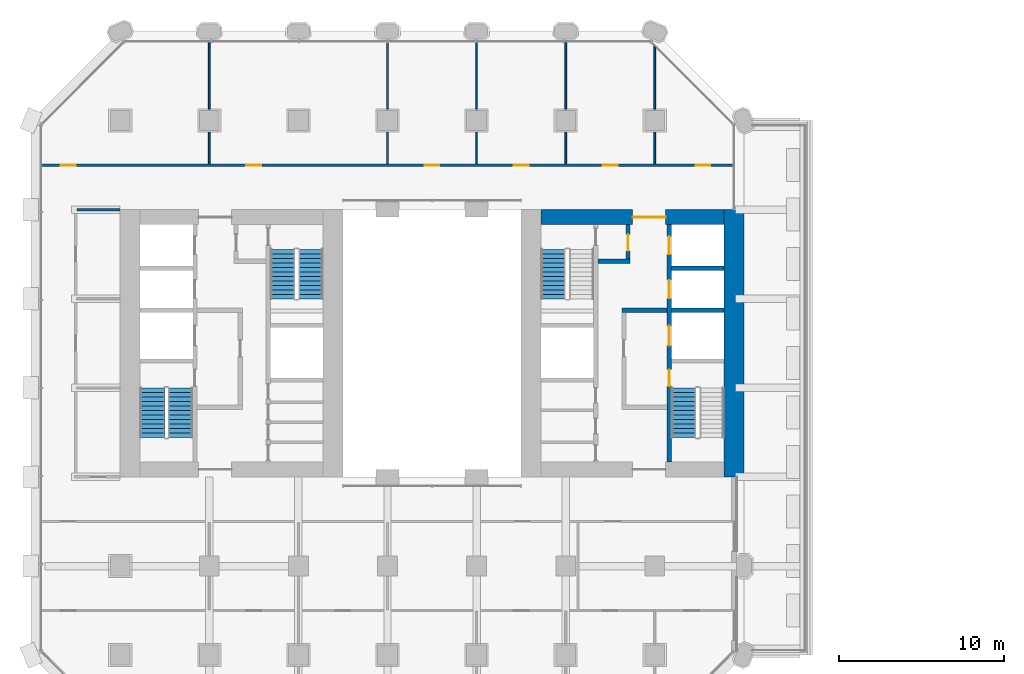
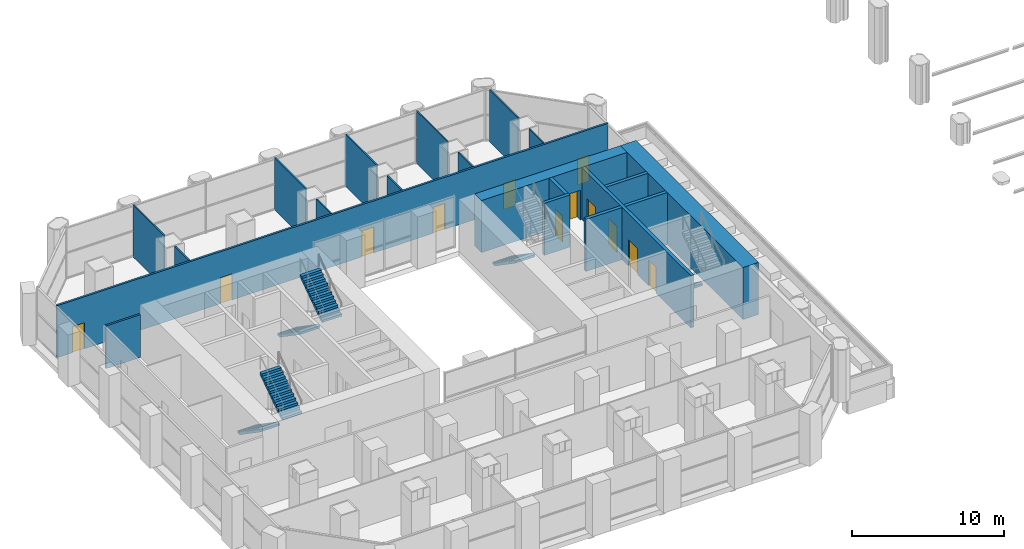
# One storey, part 14 of 23: 20 walls, 12 doors, 6 stair flights, 12 openings, 4 elements without a shape of their own.
"""IFC4 building model written with IfcOpenShell, lengths in metres."""

from ifc_helpers import new_model, si_unit, direction, frame, frame_2d, origin, place, context, subcontext, project, spatial, polyline, rectangle, outline, extrude, material, layer, layer_set, type_object, element, fill, aggregate, save


model = new_model("IFC4")

# Units and contexts
model_context = context("Model", 3, precision=1e-05, world=origin(), true_north=direction((0.0, 1.0)))
body_context = subcontext(model_context, "Body", "Model", "MODEL_VIEW")
ifc_project = project(units=[si_unit("LENGTHUNIT", "METRE"), si_unit("AREAUNIT", "SQUARE_METRE"), si_unit("VOLUMEUNIT", "CUBIC_METRE"), si_unit("PLANEANGLEUNIT", "RADIAN"), si_unit("MASSUNIT", "GRAM", prefix="KILO")], contexts=[model_context])

# Site, building, storey
site_placement = place(None, origin())
site = spatial("IfcSite", under=ifc_project, at=site_placement, CompositionType="ELEMENT")
building_placement = place(site_placement, origin())
building = spatial("IfcBuilding", under=site, at=building_placement, Name="Tabaq Tower and Sports Hall", CompositionType="ELEMENT")
storey_placement = place(building_placement, frame((0.0, 0.0, 29.10009765625)))
storey = spatial("IfcBuildingStorey", under=building, at=storey_placement, Name="L05", CompositionType="ELEMENT", Elevation=29.10009765625)

# Wall
ifc_material_1 = material(Name="Concrete C60/75", Category="concrete")
ifc_layer_1 = layer(ifc_material_1, 1.199951171875)
ifc_layer_set_1 = layer_set([ifc_layer_1], Name="Core wall 1200 Concrete C60/75")
wall_type_1 = type_object("IfcWallType", Name="Core wall 1200 Concrete C60/75", PredefinedType="SOLIDWALL", material=ifc_layer_set_1)
wall_1_placement = place(storey_placement, frame((42.60009765625, 32.39990234375, 0.0), z_axis=(0.0, 0.0, 1.0), x_axis=(0.0, -1.0, 0.0)))
element("IfcWall", 1, at=wall_1_placement, inside=storey, type_object=wall_type_1, Name="Core wall E L05", PredefinedType="SOLIDWALL", context=body_context, shape_type="SweptSolid", body=[
    extrude(rectangle(XDim=16.199951171875, YDim=1.199951171875, at=frame_2d((8.10009765625, 0.0))), origin(), (0.0, 0.0, 1.0), 4.199951171875),
])

# Wall, opening, door
ifc_material_2 = material(Name="Concrete C60/75", Category="concrete")
ifc_layer_2 = layer(ifc_material_2, 0.89990234375)
ifc_layer_set_2 = layer_set([ifc_layer_2], Name="Core wall 900 Concrete C60/75")
wall_type_2 = type_object("IfcWallType", Name="Core wall 900 Concrete C60/75", PredefinedType="SOLIDWALL", material=ifc_layer_set_2)
wall_2_placement = place(storey_placement, frame((30.89990234375, 31.949951171875, 0.0), z_axis=(0.0, 0.0, 1.0), x_axis=(1.0, 0.0, 0.0)))
wall_2 = element("IfcWall", 2, at=wall_2_placement, inside=storey, type_object=wall_type_2, Name="Core wall E L05", PredefinedType="SOLIDWALL", context=body_context, shape_type="SweptSolid", body=[
    extrude(rectangle(XDim=11.10009765625, YDim=0.89990234375, at=frame_2d((5.550048828125, 0.0))), origin(), (0.0, 0.0, 1.0), 4.199951171875),
])
opening_1_placement = place(wall_2_placement, frame((5.550048828125, 0.0, 0.0)))
opening_1 = element("IfcOpeningElement", 3, at=opening_1_placement, cuts=wall_2, Name="Opening PD-EL05-02", PredefinedType="OPENING", context=body_context, shape_type="SweptSolid", body=[
    extrude(rectangle(XDim=2.0, YDim=2.39990234375, at=frame_2d((1.0, 1.199951171875))), frame((0.0, 0.449951171875, 0.0), z_axis=(0.0, -1.0, 0.0), x_axis=(1.0, 0.0, 0.0)), (0.0, 0.0, 1.0), 0.89990234375),
])
ifc_material_3 = material(Name="Steel fire door", Category="steel")
door_type_1 = type_object("IfcDoorType", Name="Core entrance door 2000", OperationType="DOUBLE_DOOR_SINGLE_SWING", PredefinedType="DOOR", material=ifc_material_3)
door_1_placement = place(opening_1_placement, origin())
door_1 = element("IfcDoor", 4, at=door_1_placement, inside=storey, type_object=door_type_1, Name="Core entrance north E L05", OperationType="DOUBLE_DOOR_SINGLE_SWING", OverallHeight=2.39990234375, OverallWidth=2.0, PredefinedType="DOOR", context=body_context, shape_type="SweptSolid", body=[
    extrude(rectangle(XDim=2.0, YDim=2.39990234375, at=frame_2d((1.0, 1.199951171875))), frame((0.0, 0.02490234375, 0.0), z_axis=(0.0, -1.0, 0.0), x_axis=(1.0, 0.0, 0.0)), (0.0, 0.0, 1.0), 0.050048828125),
])
fill(opening_1, door_1)

# Walls
ifc_material_4 = material(Name="Gypsum board on steel studs", Category="steel")
ifc_layer_3 = layer(ifc_material_4, 0.10009765625)
ifc_layer_set_3 = layer_set([ifc_layer_3], Name="Partition 100 Gypsum board")
wall_type_3 = type_object("IfcWallType", Name="Partition 100 Gypsum board", PredefinedType="PARTITIONING", material=ifc_layer_set_3)
wall_3_placement = place(storey_placement, frame((10.800048828125, 35.175048828125, 0.0), z_axis=(0.0, 0.0, 1.0), x_axis=(0.0, 1.0, 0.0)))
element("IfcWall", 5, at=wall_3_placement, inside=storey, type_object=wall_type_3, Name="Partition wall L05", PredefinedType="PARTITIONING", context=body_context, shape_type="SweptSolid", body=[
    extrude(rectangle(XDim=1.92431640625, YDim=0.10009765625, at=frame_2d((0.962158203125, 0.0))), origin(), (0.0, 0.0, 1.0), 4.199951171875),
])
wall_4_placement = place(storey_placement, frame((10.800048828125, 38.500732421875, 0.0), z_axis=(0.0, 0.0, 1.0), x_axis=(0.0, 1.0, 0.0)))
element("IfcWall", 6, at=wall_4_placement, inside=storey, type_object=wall_type_3, Name="Partition wall L05", PredefinedType="PARTITIONING", context=body_context, shape_type="SweptSolid", body=[
    extrude(rectangle(XDim=4.099365234375, YDim=0.10009765625, at=frame_2d((2.0498046875, 0.0))), origin(), (0.0, 0.0, 1.0), 4.199951171875),
])
wall_5_placement = place(storey_placement, frame((21.60009765625, 35.175048828125, 0.0), z_axis=(0.0, 0.0, 1.0), x_axis=(0.0, 1.0, 0.0)))
element("IfcWall", 7, at=wall_5_placement, inside=storey, type_object=wall_type_3, Name="Partition wall L05", PredefinedType="PARTITIONING", context=body_context, shape_type="SweptSolid", body=[
    extrude(rectangle(XDim=1.92431640625, YDim=0.10009765625, at=frame_2d((0.962158203125, 0.0))), origin(), (0.0, 0.0, 1.0), 4.199951171875),
])
wall_6_placement = place(storey_placement, frame((21.60009765625, 38.500732421875, 0.0), z_axis=(0.0, 0.0, 1.0), x_axis=(0.0, 1.0, 0.0)))
element("IfcWall", 8, at=wall_6_placement, inside=storey, type_object=wall_type_3, Name="Partition wall L05", PredefinedType="PARTITIONING", context=body_context, shape_type="SweptSolid", body=[
    extrude(rectangle(XDim=4.099365234375, YDim=0.10009765625, at=frame_2d((2.0498046875, 0.0))), origin(), (0.0, 0.0, 1.0), 4.199951171875),
])
wall_7_placement = place(storey_placement, frame((27.0, 35.175048828125, 0.0), z_axis=(0.0, 0.0, 1.0), x_axis=(0.0, 1.0, 0.0)))
element("IfcWall", 9, at=wall_7_placement, inside=storey, type_object=wall_type_3, Name="Partition wall L05", PredefinedType="PARTITIONING", context=body_context, shape_type="SweptSolid", body=[
    extrude(rectangle(XDim=1.92431640625, YDim=0.10009765625, at=frame_2d((0.962158203125, 0.0))), origin(), (0.0, 0.0, 1.0), 4.199951171875),
])
wall_8_placement = place(storey_placement, frame((27.0, 38.500732421875, 0.0), z_axis=(0.0, 0.0, 1.0), x_axis=(0.0, 1.0, 0.0)))
element("IfcWall", 10, at=wall_8_placement, inside=storey, type_object=wall_type_3, Name="Partition wall L05", PredefinedType="PARTITIONING", context=body_context, shape_type="SweptSolid", body=[
    extrude(rectangle(XDim=4.099365234375, YDim=0.10009765625, at=frame_2d((2.0498046875, 0.0))), origin(), (0.0, 0.0, 1.0), 4.199951171875),
])
wall_9_placement = place(storey_placement, frame((32.39990234375, 35.175048828125, 0.0), z_axis=(0.0, 0.0, 1.0), x_axis=(0.0, 1.0, 0.0)))
element("IfcWall", 11, at=wall_9_placement, inside=storey, type_object=wall_type_3, Name="Partition wall L05", PredefinedType="PARTITIONING", context=body_context, shape_type="SweptSolid", body=[
    extrude(rectangle(XDim=1.92431640625, YDim=0.10009765625, at=frame_2d((0.962158203125, 0.0))), origin(), (0.0, 0.0, 1.0), 4.199951171875),
])
wall_10_placement = place(storey_placement, frame((32.39990234375, 38.500732421875, 0.0), z_axis=(0.0, 0.0, 1.0), x_axis=(0.0, 1.0, 0.0)))
element("IfcWall", 12, at=wall_10_placement, inside=storey, type_object=wall_type_3, Name="Partition wall L05", PredefinedType="PARTITIONING", context=body_context, shape_type="SweptSolid", body=[
    extrude(rectangle(XDim=4.099365234375, YDim=0.10009765625, at=frame_2d((2.0498046875, 0.0))), origin(), (0.0, 0.0, 1.0), 4.199951171875),
])
wall_11_placement = place(storey_placement, frame((37.800048828125, 35.175048828125, 0.0), z_axis=(0.0, 0.0, 1.0), x_axis=(0.0, 1.0, 0.0)))
element("IfcWall", 13, at=wall_11_placement, inside=storey, type_object=wall_type_3, Name="Partition wall L05", PredefinedType="PARTITIONING", context=body_context, shape_type="SweptSolid", body=[
    extrude(rectangle(XDim=1.92431640625, YDim=0.10009765625, at=frame_2d((0.962158203125, 0.0))), origin(), (0.0, 0.0, 1.0), 4.199951171875),
])
wall_12_placement = place(storey_placement, frame((37.800048828125, 38.500732421875, 0.0), z_axis=(0.0, 0.0, 1.0), x_axis=(0.0, 1.0, 0.0)))
element("IfcWall", 14, at=wall_12_placement, inside=storey, type_object=wall_type_3, Name="Partition wall L05", PredefinedType="PARTITIONING", context=body_context, shape_type="SweptSolid", body=[
    extrude(rectangle(XDim=3.80078125, YDim=0.10009765625, at=frame_2d((1.900390625, 0.0))), origin(), (0.0, 0.0, 1.0), 4.199951171875),
])
ifc_material_5 = material(Name="Blockwork", Category="masonry")
ifc_layer_4 = layer(ifc_material_5, 0.14990234375)
ifc_layer_set_4 = layer_set([ifc_layer_4], Name="Separating wall 150 Blockwork")
wall_type_4 = type_object("IfcWallType", Name="Separating wall 150 Blockwork", PredefinedType="PARTITIONING", material=ifc_layer_set_4)
wall_13_placement = place(storey_placement, frame((2.77490234375, 32.39990234375, 0.0), z_axis=(0.0, 0.0, 1.0), x_axis=(1.0, 0.0, 0.0)))
element("IfcWall", 15, at=wall_13_placement, inside=storey, type_object=wall_type_4, Name="Separating wall L05", PredefinedType="PARTITIONING", context=body_context, shape_type="SweptSolid", body=[
    extrude(rectangle(XDim=2.625, YDim=0.14990234375, at=frame_2d((1.3125, 0.0))), origin(), (0.0, 0.0, 1.0), 3.449951171875),
])

# Wall, openings, doors
wall_14_placement = place(storey_placement, frame((42.60009765625, 35.10009765625, 0.0), z_axis=(0.0, 0.0, 1.0), x_axis=(-1.0, 0.0, 0.0)))
wall_14 = element("IfcWall", 16, at=wall_14_placement, inside=storey, type_object=wall_type_4, Name="Separating wall L05", PredefinedType="PARTITIONING", context=body_context, shape_type="SweptSolid", body=[
    extrude(rectangle(XDim=42.0, YDim=0.14990234375, at=frame_2d((21.0, 0.0))), origin(), (0.0, 0.0, 1.0), 4.199951171875),
])
opening_2_placement = place(wall_14_placement, frame((39.89990234375, 0.0, 0.0)))
opening_2 = element("IfcOpeningElement", 17, at=opening_2_placement, cuts=wall_14, Name="Opening L05-001", PredefinedType="OPENING", context=body_context, shape_type="SweptSolid", body=[
    extrude(rectangle(XDim=0.89990234375, YDim=2.10009765625, at=frame_2d((0.449951171875, 1.050048828125))), frame((0.0, 0.074951171875, 0.0), z_axis=(0.0, -1.0, 0.0), x_axis=(1.0, 0.0, 0.0)), (0.0, 0.0, 1.0), 0.14990234375),
])
opening_3_placement = place(wall_14_placement, frame((28.64990234375, 0.0, 0.0)))
opening_3 = element("IfcOpeningElement", 18, at=opening_3_placement, cuts=wall_14, Name="Opening L05-002", PredefinedType="OPENING", context=body_context, shape_type="SweptSolid", body=[
    extrude(rectangle(XDim=0.89990234375, YDim=2.10009765625, at=frame_2d((0.449951171875, 1.050048828125))), frame((0.0, 0.074951171875, 0.0), z_axis=(0.0, -1.0, 0.0), x_axis=(1.0, 0.0, 0.0)), (0.0, 0.0, 1.0), 0.14990234375),
])
opening_4_placement = place(wall_14_placement, frame((17.85009765625, 0.0, 0.0)))
opening_4 = element("IfcOpeningElement", 19, at=opening_4_placement, cuts=wall_14, Name="Opening L05-003", PredefinedType="OPENING", context=body_context, shape_type="SweptSolid", body=[
    extrude(rectangle(XDim=0.89990234375, YDim=2.10009765625, at=frame_2d((0.449951171875, 1.050048828125))), frame((0.0, 0.074951171875, 0.0), z_axis=(0.0, -1.0, 0.0), x_axis=(1.0, 0.0, 0.0)), (0.0, 0.0, 1.0), 0.14990234375),
])
opening_5_placement = place(wall_14_placement, frame((12.449951171875, 0.0, 0.0)))
opening_5 = element("IfcOpeningElement", 20, at=opening_5_placement, cuts=wall_14, Name="Opening L05-004", PredefinedType="OPENING", context=body_context, shape_type="SweptSolid", body=[
    extrude(rectangle(XDim=0.89990234375, YDim=2.10009765625, at=frame_2d((0.449951171875, 1.050048828125))), frame((0.0, 0.074951171875, 0.0), z_axis=(0.0, -1.0, 0.0), x_axis=(1.0, 0.0, 0.0)), (0.0, 0.0, 1.0), 0.14990234375),
])
opening_6_placement = place(wall_14_placement, frame((7.050048828125, 0.0, 0.0)))
opening_6 = element("IfcOpeningElement", 21, at=opening_6_placement, cuts=wall_14, Name="Opening L05-005", PredefinedType="OPENING", context=body_context, shape_type="SweptSolid", body=[
    extrude(rectangle(XDim=0.89990234375, YDim=2.10009765625, at=frame_2d((0.449951171875, 1.050048828125))), frame((0.0, 0.074951171875, 0.0), z_axis=(0.0, -1.0, 0.0), x_axis=(1.0, 0.0, 0.0)), (0.0, 0.0, 1.0), 0.14990234375),
])
opening_7_placement = place(wall_14_placement, frame((1.425048828125, 0.0, 0.0)))
opening_7 = element("IfcOpeningElement", 22, at=opening_7_placement, cuts=wall_14, Name="Opening L05-006", PredefinedType="OPENING", context=body_context, shape_type="SweptSolid", body=[
    extrude(rectangle(XDim=0.89990234375, YDim=2.10009765625, at=frame_2d((0.449951171875, 1.050048828125))), frame((0.0, 0.074951171875, 0.0), z_axis=(0.0, -1.0, 0.0), x_axis=(1.0, 0.0, 0.0)), (0.0, 0.0, 1.0), 0.14990234375),
])
ifc_material_6 = material(Name="Timber leaf in steel frame", Category="steel")
door_type_2 = type_object("IfcDoorType", Name="Internal door 900 left hand", OperationType="SINGLE_SWING_LEFT", PredefinedType="DOOR", material=ifc_material_6)
door_2_placement = place(opening_5_placement, origin())
door_2 = element("IfcDoor", 23, at=door_2_placement, inside=storey, type_object=door_type_2, Name="Internal door L05-004", OperationType="SINGLE_SWING_LEFT", OverallHeight=2.10009765625, OverallWidth=0.89990234375, PredefinedType="DOOR", context=body_context, shape_type="SweptSolid", body=[
    extrude(rectangle(XDim=0.89990234375, YDim=2.10009765625, at=frame_2d((0.449951171875, 1.050048828125))), frame((0.0, 0.02490234375, 0.0), z_axis=(0.0, -1.0, 0.0), x_axis=(1.0, 0.0, 0.0)), (0.0, 0.0, 1.0), 0.050048828125),
])
fill(opening_5, door_2)
door_3_placement = place(opening_6_placement, origin())
door_3 = element("IfcDoor", 24, at=door_3_placement, inside=storey, type_object=door_type_2, Name="Internal door L05-005", OperationType="SINGLE_SWING_LEFT", OverallHeight=2.10009765625, OverallWidth=0.89990234375, PredefinedType="DOOR", context=body_context, shape_type="SweptSolid", body=[
    extrude(rectangle(XDim=0.89990234375, YDim=2.10009765625, at=frame_2d((0.449951171875, 1.050048828125))), frame((0.0, 0.02490234375, 0.0), z_axis=(0.0, -1.0, 0.0), x_axis=(1.0, 0.0, 0.0)), (0.0, 0.0, 1.0), 0.050048828125),
])
fill(opening_6, door_3)
door_4_placement = place(opening_7_placement, origin())
door_4 = element("IfcDoor", 25, at=door_4_placement, inside=storey, type_object=door_type_2, Name="Internal door L05-006", OperationType="SINGLE_SWING_LEFT", OverallHeight=2.10009765625, OverallWidth=0.89990234375, PredefinedType="DOOR", context=body_context, shape_type="SweptSolid", body=[
    extrude(rectangle(XDim=0.89990234375, YDim=2.10009765625, at=frame_2d((0.449951171875, 1.050048828125))), frame((0.0, 0.02490234375, 0.0), z_axis=(0.0, -1.0, 0.0), x_axis=(1.0, 0.0, 0.0)), (0.0, 0.0, 1.0), 0.050048828125),
])
fill(opening_7, door_4)
ifc_material_7 = material(Name="Timber leaf in steel frame", Category="steel")
door_type_3 = type_object("IfcDoorType", Name="Internal door 900 right hand", OperationType="SINGLE_SWING_RIGHT", PredefinedType="DOOR", material=ifc_material_7)
door_5_placement = place(opening_2_placement, origin())
door_5 = element("IfcDoor", 26, at=door_5_placement, inside=storey, type_object=door_type_3, Name="Internal door L05-001", OperationType="SINGLE_SWING_RIGHT", OverallHeight=2.10009765625, OverallWidth=0.89990234375, PredefinedType="DOOR", context=body_context, shape_type="SweptSolid", body=[
    extrude(rectangle(XDim=0.89990234375, YDim=2.10009765625, at=frame_2d((0.449951171875, 1.050048828125))), frame((0.0, 0.02490234375, 0.0), z_axis=(0.0, -1.0, 0.0), x_axis=(1.0, 0.0, 0.0)), (0.0, 0.0, 1.0), 0.050048828125),
])
fill(opening_2, door_5)
door_6_placement = place(opening_3_placement, origin())
door_6 = element("IfcDoor", 27, at=door_6_placement, inside=storey, type_object=door_type_3, Name="Internal door L05-002", OperationType="SINGLE_SWING_RIGHT", OverallHeight=2.10009765625, OverallWidth=0.89990234375, PredefinedType="DOOR", context=body_context, shape_type="SweptSolid", body=[
    extrude(rectangle(XDim=0.89990234375, YDim=2.10009765625, at=frame_2d((0.449951171875, 1.050048828125))), frame((0.0, 0.02490234375, 0.0), z_axis=(0.0, -1.0, 0.0), x_axis=(1.0, 0.0, 0.0)), (0.0, 0.0, 1.0), 0.050048828125),
])
fill(opening_3, door_6)
door_7_placement = place(opening_4_placement, origin())
door_7 = element("IfcDoor", 28, at=door_7_placement, inside=storey, type_object=door_type_3, Name="Internal door L05-003", OperationType="SINGLE_SWING_RIGHT", OverallHeight=2.10009765625, OverallWidth=0.89990234375, PredefinedType="DOOR", context=body_context, shape_type="SweptSolid", body=[
    extrude(rectangle(XDim=0.89990234375, YDim=2.10009765625, at=frame_2d((0.449951171875, 1.050048828125))), frame((0.0, 0.02490234375, 0.0), z_axis=(0.0, -1.0, 0.0), x_axis=(1.0, 0.0, 0.0)), (0.0, 0.0, 1.0), 0.050048828125),
])
fill(opening_4, door_7)

ifc_material_8 = material(Name="Concrete C40/50", Category="concrete")
ifc_layer_5 = layer(ifc_material_8, 0.25)
ifc_layer_set_5 = layer_set([ifc_layer_5], Name="Shaft and stair wall 250 Concrete C40/50")
wall_type_5 = type_object("IfcWallType", Name="Shaft and stair wall 250 Concrete C40/50", PredefinedType="SOLIDWALL", material=ifc_layer_set_5)
wall_15_placement = place(storey_placement, frame((38.675048828125, 17.10009765625, 0.0), z_axis=(0.0, 0.0, 1.0), x_axis=(0.0, 1.0, 0.0)))
wall_15 = element("IfcWall", 29, at=wall_15_placement, inside=storey, type_object=wall_type_5, Name="Shaft wall E L05", PredefinedType="SOLIDWALL", context=body_context, shape_type="SweptSolid", body=[
    extrude(rectangle(XDim=14.39990234375, YDim=0.25, at=frame_2d((7.199951171875, 0.0))), origin(), (0.0, 0.0, 1.0), 4.199951171875),
])
opening_8_placement = place(wall_15_placement, frame((4.60009765625, 0.0, 0.0)))
opening_8 = element("IfcOpeningElement", 30, at=opening_8_placement, cuts=wall_15, Name="Opening SD-EL05-03", PredefinedType="OPENING", context=body_context, shape_type="SweptSolid", body=[
    extrude(rectangle(XDim=1.0, YDim=2.10009765625, at=frame_2d((0.5, 1.050048828125))), frame((0.0, 0.125, 0.0), z_axis=(0.0, -1.0, 0.0), x_axis=(1.0, 0.0, 0.0)), (0.0, 0.0, 1.0), 0.25),
])
opening_9_placement = place(wall_15_placement, frame((7.0625, 0.0, 0.0)))
opening_9 = element("IfcOpeningElement", 31, at=opening_9_placement, cuts=wall_15, Name="Opening LD-FF2-L05", PredefinedType="OPENING", context=body_context, shape_type="SweptSolid", body=[
    extrude(rectangle(XDim=1.199951171875, YDim=2.10009765625, at=frame_2d((0.60009765625, 1.050048828125))), frame((0.0, 0.125, 0.0), z_axis=(0.0, -1.0, 0.0), x_axis=(1.0, 0.0, 0.0)), (0.0, 0.0, 1.0), 0.25),
])
opening_10_placement = place(wall_15_placement, frame((9.925048828125, 0.0, 0.0)))
opening_10 = element("IfcOpeningElement", 32, at=opening_10_placement, cuts=wall_15, Name="Opening LD-LR3-L05", PredefinedType="OPENING", context=body_context, shape_type="SweptSolid", body=[
    extrude(rectangle(XDim=1.10009765625, YDim=2.10009765625, at=frame_2d((0.550048828125, 1.050048828125))), frame((0.0, 0.125, 0.0), z_axis=(0.0, -1.0, 0.0), x_axis=(1.0, 0.0, 0.0)), (0.0, 0.0, 1.0), 0.25),
])
opening_11_placement = place(wall_15_placement, frame((12.58740234375, 0.0, 0.0)))
opening_11 = element("IfcOpeningElement", 33, at=opening_11_placement, cuts=wall_15, Name="Opening LD-LR4-L05", PredefinedType="OPENING", context=body_context, shape_type="SweptSolid", body=[
    extrude(rectangle(XDim=1.10009765625, YDim=2.10009765625, at=frame_2d((0.550048828125, 1.050048828125))), frame((0.0, 0.125, 0.0), z_axis=(0.0, -1.0, 0.0), x_axis=(1.0, 0.0, 0.0)), (0.0, 0.0, 1.0), 0.25),
])
ifc_material_9 = material(Name="Stainless steel", Category="steel")
door_type_4 = type_object("IfcDoorType", Name="Lift landing door 1100", OperationType="DOUBLE_DOOR_SLIDING", PredefinedType="DOOR", material=ifc_material_9)
door_8_placement = place(opening_10_placement, origin())
door_8 = element("IfcDoor", 34, at=door_8_placement, inside=storey, type_object=door_type_4, Name="Lift landing door LR3 E L05", OperationType="DOUBLE_DOOR_SLIDING", OverallHeight=2.10009765625, OverallWidth=1.10009765625, PredefinedType="DOOR", context=body_context, shape_type="SweptSolid", body=[
    extrude(rectangle(XDim=1.10009765625, YDim=2.10009765625, at=frame_2d((0.550048828125, 1.050048828125))), frame((0.0, 0.02490234375, 0.0), z_axis=(0.0, -1.0, 0.0), x_axis=(1.0, 0.0, 0.0)), (0.0, 0.0, 1.0), 0.050048828125),
])
fill(opening_10, door_8)
door_9_placement = place(opening_11_placement, origin())
door_9 = element("IfcDoor", 35, at=door_9_placement, inside=storey, type_object=door_type_4, Name="Lift landing door LR4 E L05", OperationType="DOUBLE_DOOR_SLIDING", OverallHeight=2.10009765625, OverallWidth=1.10009765625, PredefinedType="DOOR", context=body_context, shape_type="SweptSolid", body=[
    extrude(rectangle(XDim=1.10009765625, YDim=2.10009765625, at=frame_2d((0.550048828125, 1.050048828125))), frame((0.0, 0.02490234375, 0.0), z_axis=(0.0, -1.0, 0.0), x_axis=(1.0, 0.0, 0.0)), (0.0, 0.0, 1.0), 0.050048828125),
])
fill(opening_11, door_9)
ifc_material_10 = material(Name="Stainless steel", Category="steel")
door_type_5 = type_object("IfcDoorType", Name="Lift landing door 1200", OperationType="DOUBLE_DOOR_SLIDING", PredefinedType="DOOR", material=ifc_material_10)
door_10_placement = place(opening_9_placement, origin())
door_10 = element("IfcDoor", 36, at=door_10_placement, inside=storey, type_object=door_type_5, Name="Lift landing door FF2 E L05", OperationType="DOUBLE_DOOR_SLIDING", OverallHeight=2.10009765625, OverallWidth=1.199951171875, PredefinedType="DOOR", context=body_context, shape_type="SweptSolid", body=[
    extrude(rectangle(XDim=1.199951171875, YDim=2.10009765625, at=frame_2d((0.60009765625, 1.050048828125))), frame((0.0, 0.02490234375, 0.0), z_axis=(0.0, -1.0, 0.0), x_axis=(1.0, 0.0, 0.0)), (0.0, 0.0, 1.0), 0.050048828125),
])
fill(opening_9, door_10)
ifc_material_11 = material(Name="Steel fire door", Category="steel")
door_type_6 = type_object("IfcDoorType", Name="Stair door 1000", OperationType="SINGLE_SWING_LEFT", PredefinedType="DOOR", material=ifc_material_11)
door_11_placement = place(opening_8_placement, origin())
door_11 = element("IfcDoor", 37, at=door_11_placement, inside=storey, type_object=door_type_6, Name="Stair door ST3 E L05", OperationType="SINGLE_SWING_LEFT", OverallHeight=2.10009765625, OverallWidth=1.0, PredefinedType="DOOR", context=body_context, shape_type="SweptSolid", body=[
    extrude(rectangle(XDim=1.0, YDim=2.10009765625, at=frame_2d((0.5, 1.050048828125))), frame((0.0, 0.02490234375, 0.0), z_axis=(0.0, -1.0, 0.0), x_axis=(1.0, 0.0, 0.0)), (0.0, 0.0, 1.0), 0.050048828125),
])
fill(opening_8, door_11)

# Walls
wall_16_placement = place(storey_placement, frame((38.800048828125, 26.300048828125, 0.0), z_axis=(0.0, 0.0, 1.0), x_axis=(1.0, 0.0, 0.0)))
element("IfcWall", 38, at=wall_16_placement, inside=storey, type_object=wall_type_5, Name="Shaft wall E L05", PredefinedType="SOLIDWALL", context=body_context, shape_type="SweptSolid", body=[
    extrude(rectangle(XDim=3.199951171875, YDim=0.25, at=frame_2d((1.60009765625, 0.0))), origin(), (0.0, 0.0, 1.0), 4.199951171875),
])
wall_17_placement = place(storey_placement, frame((35.800048828125, 26.300048828125, 0.0), z_axis=(0.0, 0.0, 1.0), x_axis=(1.0, 0.0, 0.0)))
element("IfcWall", 39, at=wall_17_placement, inside=storey, type_object=wall_type_5, Name="Fire-fighting lobby wall E L05", PredefinedType="SOLIDWALL", context=body_context, shape_type="SweptSolid", body=[
    extrude(rectangle(XDim=2.75, YDim=0.25, at=frame_2d((1.375, 0.0))), origin(), (0.0, 0.0, 1.0), 4.199951171875),
])

# Wall, opening, door
wall_18_placement = place(storey_placement, frame((36.175048828125, 29.39990234375, 0.0), z_axis=(0.0, 0.0, 1.0), x_axis=(0.0, 1.0, 0.0)))
wall_18 = element("IfcWall", 40, at=wall_18_placement, inside=storey, type_object=wall_type_5, Name="Fire-fighting lobby wall E L05", PredefinedType="SOLIDWALL", context=body_context, shape_type="SweptSolid", body=[
    extrude(rectangle(XDim=2.10009765625, YDim=0.25, at=frame_2d((1.050048828125, 0.0))), origin(), (0.0, 0.0, 1.0), 4.199951171875),
])
opening_12_placement = place(wall_18_placement, frame((0.5, 0.0, 0.0)))
opening_12 = element("IfcOpeningElement", 41, at=opening_12_placement, cuts=wall_18, Name="Opening FD-EL05-06", PredefinedType="OPENING", context=body_context, shape_type="SweptSolid", body=[
    extrude(rectangle(XDim=1.0, YDim=2.10009765625, at=frame_2d((0.5, 1.050048828125))), frame((0.0, 0.125, 0.0), z_axis=(0.0, -1.0, 0.0), x_axis=(1.0, 0.0, 0.0)), (0.0, 0.0, 1.0), 0.25),
])
ifc_material_12 = material(Name="Steel fire door", Category="steel")
door_type_7 = type_object("IfcDoorType", Name="Fire-fighting lobby door 1000", OperationType="SINGLE_SWING_LEFT", PredefinedType="DOOR", material=ifc_material_12)
door_12_placement = place(opening_12_placement, origin())
door_12 = element("IfcDoor", 42, at=door_12_placement, inside=storey, type_object=door_type_7, Name="Stair lobby door E L05", OperationType="SINGLE_SWING_LEFT", OverallHeight=2.10009765625, OverallWidth=1.0, PredefinedType="DOOR", context=body_context, shape_type="SweptSolid", body=[
    extrude(rectangle(XDim=1.0, YDim=2.10009765625, at=frame_2d((0.5, 1.050048828125))), frame((0.0, 0.02490234375, 0.0), z_axis=(0.0, -1.0, 0.0), x_axis=(1.0, 0.0, 0.0)), (0.0, 0.0, 1.0), 0.050048828125),
])
fill(opening_12, door_12)

# Walls
wall_19_placement = place(storey_placement, frame((34.35009765625, 29.27490234375, 0.0), z_axis=(0.0, 0.0, 1.0), x_axis=(1.0, 0.0, 0.0)))
element("IfcWall", 43, at=wall_19_placement, inside=storey, type_object=wall_type_5, Name="Fire-fighting lobby wall E L05", PredefinedType="SOLIDWALL", context=body_context, shape_type="SweptSolid", body=[
    extrude(rectangle(XDim=1.949951171875, YDim=0.25, at=frame_2d((0.97509765625, 0.0))), origin(), (0.0, 0.0, 1.0), 4.199951171875),
])
wall_20_placement = place(storey_placement, frame((38.800048828125, 28.85009765625, 0.0), z_axis=(0.0, 0.0, 1.0), x_axis=(1.0, 0.0, 0.0)))
element("IfcWall", 44, at=wall_20_placement, inside=storey, type_object=wall_type_5, Name="Shaft wall E L05", PredefinedType="SOLIDWALL", context=body_context, shape_type="SweptSolid", body=[
    extrude(rectangle(XDim=3.199951171875, YDim=0.25, at=frame_2d((1.60009765625, 0.0))), origin(), (0.0, 0.0, 1.0), 4.199951171875),
])

# Stair, stair flights
ifc_material_13 = material(Name="Concrete C40/50", Category="concrete")
stair_type = type_object("IfcStairType", Name="Exit stair", PredefinedType="HALF_TURN_STAIR", material=ifc_material_13)
stair_1_placement = place(storey_placement, origin())
stair_1 = element("IfcStair", 45, at=stair_1_placement, inside=storey, type_object=stair_type, Name="L05 Exit stair ST1", PredefinedType="HALF_TURN_STAIR")
ifc_material_14 = material(Name="Concrete C40/50", Category="concrete")
stair_flight_type = type_object("IfcStairFlightType", Name="Exit stair flight", PredefinedType="STRAIGHT", material=ifc_material_14)
stair_flight_1_placement = place(storey_placement, frame((7.35009765625, 21.60009765625, 0.0), z_axis=(0.0, 0.0, 1.0), x_axis=(0.0, -1.0, 0.0)))
stair_flight_1 = element("IfcStairFlight", 46, at=stair_flight_1_placement, type_object=stair_flight_type, Name="ST1 flight 1", NumberOfRisers=12, NumberOfTreads=11, PredefinedType="STRAIGHT", RiserHeight=0.1875, TreadLength=0.272727273, context=body_context, shape_type="SweptSolid", body=[
    extrude(outline(polyline([(0.0, 0.0), (0.0, 0.1875), (0.272705078125, 0.1875), (0.272705078125, 0.375), (0.54541015625, 0.375), (0.54541015625, 0.5625), (0.818115234375, 0.5625), (0.818115234375, 0.75), (1.0908203125, 0.75), (1.0908203125, 0.9375), (1.363525390625, 0.9375), (1.363525390625, 1.125), (1.636474609375, 1.125), (1.636474609375, 1.3125), (1.9091796875, 1.3125), (1.9091796875, 1.5), (2.181884765625, 1.5), (2.181884765625, 1.6875), (2.45458984375, 1.6875), (2.45458984375, 1.875), (2.727294921875, 1.875), (2.727294921875, 2.0625), (3.0, 2.0625), (3.0, 2.25), (3.0, 1.880615234375), (0.2646484375, 0.0), (0.0, 0.0)])), frame((0.0, 0.75, 0.0), z_axis=(0.0, -1.0, 0.0), x_axis=(1.0, 0.0, 0.0)), (0.0, 0.0, 1.0), 1.5),
])
stair_flight_2_placement = place(storey_placement, frame((9.050048828125, 18.60009765625, 2.25), z_axis=(0.0, 0.0, 1.0), x_axis=(0.0, 1.0, 0.0)))
stair_flight_2 = element("IfcStairFlight", 47, at=stair_flight_2_placement, type_object=stair_flight_type, Name="ST1 flight 2", NumberOfRisers=12, NumberOfTreads=11, PredefinedType="STRAIGHT", RiserHeight=0.1875, TreadLength=0.272727273, context=body_context, shape_type="SweptSolid", body=[
    extrude(outline(polyline([(0.0, 0.0), (0.0, 0.1875), (0.272705078125, 0.1875), (0.272705078125, 0.375), (0.54541015625, 0.375), (0.54541015625, 0.5625), (0.818115234375, 0.5625), (0.818115234375, 0.75), (1.0908203125, 0.75), (1.0908203125, 0.9375), (1.363525390625, 0.9375), (1.363525390625, 1.125), (1.636474609375, 1.125), (1.636474609375, 1.3125), (1.9091796875, 1.3125), (1.9091796875, 1.5), (2.181884765625, 1.5), (2.181884765625, 1.6875), (2.45458984375, 1.6875), (2.45458984375, 1.875), (2.727294921875, 1.875), (2.727294921875, 2.0625), (3.0, 2.0625), (3.0, 2.25), (3.0, 1.880615234375), (0.2646484375, 0.0), (0.0, 0.0)])), frame((0.0, 0.75, 0.0), z_axis=(0.0, -1.0, 0.0), x_axis=(1.0, 0.0, 0.0)), (0.0, 0.0, 1.0), 1.5),
])
aggregate(stair_1, [stair_flight_1, stair_flight_2])

stair_2_placement = place(storey_placement, origin())
stair_2 = element("IfcStair", 48, at=stair_2_placement, inside=storey, type_object=stair_type, Name="L05 Exit stair ST2", PredefinedType="HALF_TURN_STAIR")
stair_flight_3_placement = place(storey_placement, frame((15.25, 30.0, 0.0), z_axis=(0.0, 0.0, 1.0), x_axis=(0.0, -1.0, 0.0)))
stair_flight_3 = element("IfcStairFlight", 49, at=stair_flight_3_placement, type_object=stair_flight_type, Name="ST2 flight 1", NumberOfRisers=12, NumberOfTreads=11, PredefinedType="STRAIGHT", RiserHeight=0.1875, TreadLength=0.272727273, context=body_context, shape_type="SweptSolid", body=[
    extrude(outline(polyline([(0.0, 0.0), (0.0, 0.1875), (0.272705078125, 0.1875), (0.272705078125, 0.375), (0.54541015625, 0.375), (0.54541015625, 0.5625), (0.818115234375, 0.5625), (0.818115234375, 0.75), (1.0908203125, 0.75), (1.0908203125, 0.9375), (1.363525390625, 0.9375), (1.363525390625, 1.125), (1.636474609375, 1.125), (1.636474609375, 1.3125), (1.9091796875, 1.3125), (1.9091796875, 1.5), (2.181884765625, 1.5), (2.181884765625, 1.6875), (2.45458984375, 1.6875), (2.45458984375, 1.875), (2.727294921875, 1.875), (2.727294921875, 2.0625), (3.0, 2.0625), (3.0, 2.25), (3.0, 1.880615234375), (0.2646484375, 0.0), (0.0, 0.0)])), frame((0.0, 0.75, 0.0), z_axis=(0.0, -1.0, 0.0), x_axis=(1.0, 0.0, 0.0)), (0.0, 0.0, 1.0), 1.5),
])
stair_flight_4_placement = place(storey_placement, frame((16.949951171875, 27.0, 2.25), z_axis=(0.0, 0.0, 1.0), x_axis=(0.0, 1.0, 0.0)))
stair_flight_4 = element("IfcStairFlight", 50, at=stair_flight_4_placement, type_object=stair_flight_type, Name="ST2 flight 2", NumberOfRisers=12, NumberOfTreads=11, PredefinedType="STRAIGHT", RiserHeight=0.1875, TreadLength=0.272727273, context=body_context, shape_type="SweptSolid", body=[
    extrude(outline(polyline([(0.0, 0.0), (0.0, 0.1875), (0.272705078125, 0.1875), (0.272705078125, 0.375), (0.54541015625, 0.375), (0.54541015625, 0.5625), (0.818115234375, 0.5625), (0.818115234375, 0.75), (1.0908203125, 0.75), (1.0908203125, 0.9375), (1.363525390625, 0.9375), (1.363525390625, 1.125), (1.636474609375, 1.125), (1.636474609375, 1.3125), (1.9091796875, 1.3125), (1.9091796875, 1.5), (2.181884765625, 1.5), (2.181884765625, 1.6875), (2.45458984375, 1.6875), (2.45458984375, 1.875), (2.727294921875, 1.875), (2.727294921875, 2.0625), (3.0, 2.0625), (3.0, 2.25), (3.0, 1.880615234375), (0.2646484375, 0.0), (0.0, 0.0)])), frame((0.0, 0.75, 0.0), z_axis=(0.0, -1.0, 0.0), x_axis=(1.0, 0.0, 0.0)), (0.0, 0.0, 1.0), 1.5),
])
aggregate(stair_2, [stair_flight_3, stair_flight_4])

# Stair, stair flight
stair_3_placement = place(storey_placement, origin())
stair_3 = element("IfcStair", 51, at=stair_3_placement, inside=storey, type_object=stair_type, Name="L05 Exit stair ST3", PredefinedType="HALF_TURN_STAIR")
stair_flight_5_placement = place(storey_placement, frame((39.550048828125, 21.60009765625, 0.0), z_axis=(0.0, 0.0, 1.0), x_axis=(0.0, -1.0, 0.0)))
stair_flight_5 = element("IfcStairFlight", 52, at=stair_flight_5_placement, type_object=stair_flight_type, Name="ST3 flight 1", NumberOfRisers=12, NumberOfTreads=11, PredefinedType="STRAIGHT", RiserHeight=0.1875, TreadLength=0.272727273, context=body_context, shape_type="SweptSolid", body=[
    extrude(outline(polyline([(0.0, 0.0), (0.0, 0.1875), (0.272705078125, 0.1875), (0.272705078125, 0.375), (0.54541015625, 0.375), (0.54541015625, 0.5625), (0.818115234375, 0.5625), (0.818115234375, 0.75), (1.0908203125, 0.75), (1.0908203125, 0.9375), (1.363525390625, 0.9375), (1.363525390625, 1.125), (1.636474609375, 1.125), (1.636474609375, 1.3125), (1.9091796875, 1.3125), (1.9091796875, 1.5), (2.181884765625, 1.5), (2.181884765625, 1.6875), (2.45458984375, 1.6875), (2.45458984375, 1.875), (2.727294921875, 1.875), (2.727294921875, 2.0625), (3.0, 2.0625), (3.0, 2.25), (3.0, 1.880615234375), (0.2646484375, 0.0), (0.0, 0.0)])), frame((0.0, 0.75, 0.0), z_axis=(0.0, -1.0, 0.0), x_axis=(1.0, 0.0, 0.0)), (0.0, 0.0, 1.0), 1.5),
])
aggregate(stair_3, [stair_flight_5])

stair_4_placement = place(storey_placement, origin())
stair_4 = element("IfcStair", 53, at=stair_4_placement, inside=storey, type_object=stair_type, Name="L05 Exit stair ST4", PredefinedType="HALF_TURN_STAIR")
stair_flight_6_placement = place(storey_placement, frame((31.64990234375, 30.0, 0.0), z_axis=(0.0, 0.0, 1.0), x_axis=(0.0, -1.0, 0.0)))
stair_flight_6 = element("IfcStairFlight", 54, at=stair_flight_6_placement, type_object=stair_flight_type, Name="ST4 flight 1", NumberOfRisers=12, NumberOfTreads=11, PredefinedType="STRAIGHT", RiserHeight=0.1875, TreadLength=0.272727273, context=body_context, shape_type="SweptSolid", body=[
    extrude(outline(polyline([(0.0, 0.0), (0.0, 0.1875), (0.272705078125, 0.1875), (0.272705078125, 0.375), (0.54541015625, 0.375), (0.54541015625, 0.5625), (0.818115234375, 0.5625), (0.818115234375, 0.75), (1.0908203125, 0.75), (1.0908203125, 0.9375), (1.363525390625, 0.9375), (1.363525390625, 1.125), (1.636474609375, 1.125), (1.636474609375, 1.3125), (1.9091796875, 1.3125), (1.9091796875, 1.5), (2.181884765625, 1.5), (2.181884765625, 1.6875), (2.45458984375, 1.6875), (2.45458984375, 1.875), (2.727294921875, 1.875), (2.727294921875, 2.0625), (3.0, 2.0625), (3.0, 2.25), (3.0, 1.880615234375), (0.2646484375, 0.0), (0.0, 0.0)])), frame((0.0, 0.75, 0.0), z_axis=(0.0, -1.0, 0.0), x_axis=(1.0, 0.0, 0.0)), (0.0, 0.0, 1.0), 1.5),
])
aggregate(stair_4, [stair_flight_6])

save(model, "model.ifc")
